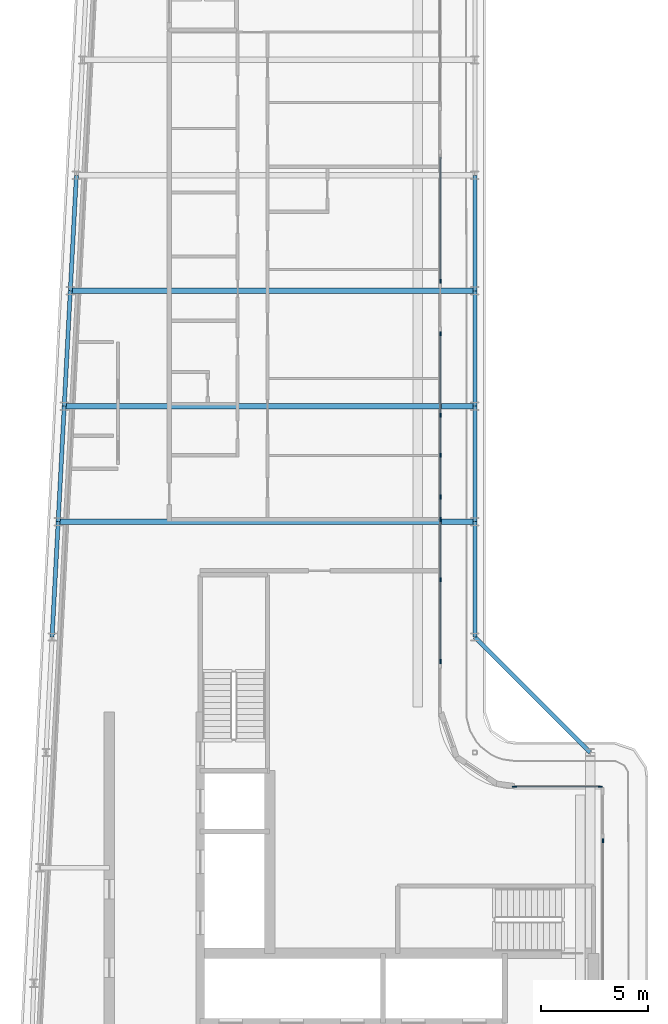
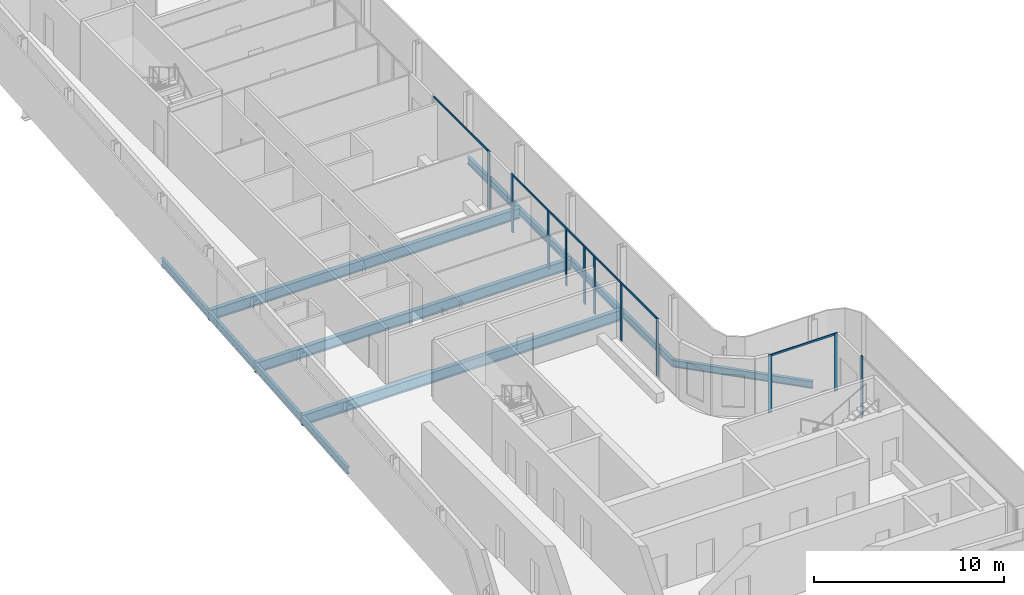
# One storey, part 5 of 18: 15 members, 12 beams, 5 elements without a shape of their own.
"""IFC4 building model written with IfcOpenShell, lengths in metres."""

import ifcopenshell
import ifcopenshell.guid

model = None  # the IFC model being written
_history = None  # IfcOwnerHistory: only IFC2X3 demands one
_inside = {}  # id of a spatial element -> (the spatial element, [elements in it])
_under = {}  # id of a project, library or spatial element -> (it, [spatial elements below it])
_declared = {}  # id of a project -> (the project, [libraries it declares])
_typed = {}  # id of a type object -> (the type object, [elements of that type])
_made_of = {}  # id of a material, layer set ... -> (it, [elements and type objects made of it])


def new_model(schema):
    """Start an empty IFC model of exactly this schema.

    Asked for "IFC4X3", IfcOpenShell would pick the latest addendum, in which some entities
    have other attributes; the version numbers below select the first issue.
    IFC2X3 requires an IfcOwnerHistory on every rooted entity: one is made here for all.
    """
    global model, _history
    if schema == "IFC4X3":
        model = ifcopenshell.file(schema_version=(4, 3, 0, 0))
    else:
        model = ifcopenshell.file(schema=schema)
    _inside.clear()
    _under.clear()
    _declared.clear()
    _typed.clear()
    _made_of.clear()
    _history = None
    if model.schema == "IFC2X3":
        org = make("IfcOrganization", Name="unknown")
        user = make(
            "IfcPersonAndOrganization",
            ThePerson=make("IfcPerson", FamilyName="unknown"),
            TheOrganization=org,
        )
        app = make(
            "IfcApplication",
            ApplicationDeveloper=org,
            Version="unknown",
            ApplicationFullName="unknown",
            ApplicationIdentifier="unknown",
        )
        _history = make(
            "IfcOwnerHistory",
            OwningUser=user,
            OwningApplication=app,
            ChangeAction="ADDED",
            CreationDate=0,
        )
    return model


def make(cls, **values):
    """One entity of the class cls with the attributes given. An attribute that is None is left unset."""
    return model.create_entity(
        cls, **{name: value for name, value in values.items() if value is not None}
    )


def rooted(cls, **values):
    """An entity with a GlobalId (a new one), such as an element, a storey or a relation."""
    return make(cls, GlobalId=ifcopenshell.guid.new(), OwnerHistory=_history, **values)


def si_unit(unit_type, name, prefix=None):
    """IfcSIUnit, for example si_unit("LENGTHUNIT", "METRE", prefix="MILLI")."""
    return make("IfcSIUnit", UnitType=unit_type, Prefix=prefix, Name=name)


def assignment(units):
    """IfcUnitAssignment: the units of a project."""
    return None if units is None else make("IfcUnitAssignment", Units=units)


def point(xyz):
    """IfcCartesianPoint."""
    return None if xyz is None else make("IfcCartesianPoint", Coordinates=xyz)


def direction(xyz):
    """IfcDirection."""
    return None if xyz is None else make("IfcDirection", DirectionRatios=xyz)


def frame(location, z_axis=None, x_axis=None):
    """IfcAxis2Placement3D, a coordinate frame: its origin and axes. An axis left out is left unset."""
    return make(
        "IfcAxis2Placement3D",
        Location=point(location),
        Axis=direction(z_axis),
        RefDirection=direction(x_axis),
    )


def frame_2d(location, x_axis=None):
    """IfcAxis2Placement2D, a coordinate frame in the plane: its origin and x axis."""
    return make(
        "IfcAxis2Placement2D", Location=point(location), RefDirection=direction(x_axis)
    )


def origin():
    """The frame at (0, 0, 0) with its axes left unset."""
    return frame((0.0, 0.0, 0.0))


def origin_2d():
    """The frame at (0, 0) in the plane with its x axis left unset."""
    return frame_2d((0.0, 0.0))


def place(relative_to, where):
    """IfcLocalPlacement: puts the frame where relative to a parent placement (None: the world)."""
    return make(
        "IfcLocalPlacement", PlacementRelTo=relative_to, RelativePlacement=where
    )


def context(
    kind, dimensions, precision=None, world=None, true_north=None, identifier=None
):
    """IfcGeometricRepresentationContext, for example the 3D "Model" context."""
    return make(
        "IfcGeometricRepresentationContext",
        ContextIdentifier=identifier,
        ContextType=kind,
        CoordinateSpaceDimension=dimensions,
        Precision=precision,
        WorldCoordinateSystem=world,
        TrueNorth=true_north,
    )


def subcontext(parent, identifier, kind, view, scale=None):
    """IfcGeometricRepresentationSubContext, for example "Body" below "Model"."""
    return make(
        "IfcGeometricRepresentationSubContext",
        ContextIdentifier=identifier,
        ContextType=kind,
        ParentContext=parent,
        TargetScale=scale,
        TargetView=view,
    )


def project(units=None, contexts=None):
    """IfcProject with its units and contexts."""
    return rooted(
        "IfcProject",
        Name="project",
        RepresentationContexts=contexts,
        UnitsInContext=assignment(units),
    )


def spatial(cls, under=None, at=None, **own):
    """A site, building, storey or space (cls), placed at a placement, below another one or the project."""
    s = rooted(cls, ObjectPlacement=at, **own)
    if under is not None:
        _under.setdefault(under.id(), (under, []))[1].append(s)
    return s


def profile(cls, at=None, kind="AREA", **sizes):
    """A parametric profile (cls). Its sizes go by their IFC names, for example OverallWidth=200.0."""
    return make(cls, ProfileType=kind, Position=at, **sizes)


def rectangle(**sizes):
    """IfcRectangleProfileDef."""
    return profile("IfcRectangleProfileDef", **sizes)


def i_section(**sizes):
    """IfcIShapeProfileDef."""
    return profile("IfcIShapeProfileDef", **sizes)


def extrude(swept, where, along, depth):
    """IfcExtrudedAreaSolid: the profile swept, set in the frame where, extruded along a direction by depth."""
    return make(
        "IfcExtrudedAreaSolid",
        SweptArea=swept,
        Position=where,
        ExtrudedDirection=direction(along),
        Depth=depth,
    )


def shape(context_of_items, identifier, shape_type, items):
    """IfcShapeRepresentation: the items that make up one representation, for example the "Body"."""
    return make(
        "IfcShapeRepresentation",
        ContextOfItems=context_of_items,
        RepresentationIdentifier=identifier,
        RepresentationType=shape_type,
        Items=items,
    )


def material(Name=None, Category=None):
    """IfcMaterial."""
    return make("IfcMaterial", Name=Name, Category=Category)


def layer(
    of_material, thickness, ventilated=None, Name=None, Category=None, Priority=None
):
    """IfcMaterialLayer: one layer of a wall or slab, of a material (None: an air gap)."""
    return make(
        "IfcMaterialLayer",
        Material=of_material,
        LayerThickness=thickness,
        IsVentilated=ventilated,
        Name=Name,
        Category=Category,
        Priority=Priority,
    )


def layer_set(layers, Name=None):
    """IfcMaterialLayerSet."""
    return make("IfcMaterialLayerSet", MaterialLayers=layers, LayerSetName=Name)


def material_profile(
    of_material, cross_section, Name=None, Category=None, Priority=None
):
    """IfcMaterialProfile: a cross section and its material."""
    return make(
        "IfcMaterialProfile",
        Name=Name,
        Material=of_material,
        Profile=cross_section,
        Priority=Priority,
        Category=Category,
    )


def profile_set(profiles, Name=None, composite=None):
    """IfcMaterialProfileSet."""
    return make(
        "IfcMaterialProfileSet",
        Name=Name,
        MaterialProfiles=profiles,
        CompositeProfile=composite,
    )


def made_of(thing, what):
    """Note that an element or type object is made of a material, layer set ...; save() writes the relation."""
    if what is not None:
        _made_of.setdefault(what.id(), (what, []))[1].append(thing)
    return thing


def type_object(cls, material=None, **own):
    """A type object (cls), such as IfcWallType, which elements share."""
    return made_of(rooted(cls, **own), material)


def element(
    cls,
    number,
    at=None,
    inside=None,
    cuts=None,
    type_object=None,
    material=None,
    context=None,
    identifier="Body",
    shape_type=None,
    held_by="IfcProductDefinitionShape",
    body=None,
    shapes=None,
    **own,
):
    """One element of the class cls, such as IfcWall. Its Tag is "e" and its number.

    at: its placement. inside: the storey or other place that contains it. cuts: it is an
    opening in that element (IfcRelVoidsElement). A single representation is given by context,
    identifier, shape_type and body (its items); several are given by shapes. held_by: the class
    of the entity that holds the representations. save() writes the other relations.
    """
    e = rooted(cls, Tag="e%d" % number, ObjectPlacement=at, **own)
    if body is not None:
        shapes = [shape(context, identifier, shape_type, body)]
    if shapes is not None:
        e.Representation = make(held_by, Representations=shapes)
    if inside is not None:
        _inside.setdefault(inside.id(), (inside, []))[1].append(e)
    if cuts is not None:
        rooted(
            "IfcRelVoidsElement", RelatingBuildingElement=cuts, RelatedOpeningElement=e
        )
    if type_object is not None:
        _typed.setdefault(type_object.id(), (type_object, []))[1].append(e)
    return made_of(e, material)


def aggregate(whole, parts):
    """IfcRelAggregates: a whole, such as a stair, and the parts it consists of."""
    return rooted("IfcRelAggregates", RelatingObject=whole, RelatedObjects=parts)


def save(model, path):
    """Write the relations noted so far, then the file.

    IfcRelAggregates (storeys below a building ...), IfcRelContainedInSpatialStructure (elements
    in a storey), IfcRelDefinesByType, IfcRelAssociatesMaterial and IfcRelDeclares: one each for
    every whole, place, type object, material and project.
    """
    for whole, parts in _under.values():
        aggregate(whole, parts)
    for where, things in _inside.values():
        rooted(
            "IfcRelContainedInSpatialStructure",
            RelatedElements=things,
            RelatingStructure=where,
        )
    for kind, things in _typed.values():
        rooted("IfcRelDefinesByType", RelatedObjects=things, RelatingType=kind)
    for what, things in _made_of.values():
        rooted("IfcRelAssociatesMaterial", RelatedObjects=things, RelatingMaterial=what)
    for by, libraries in _declared.values():
        rooted("IfcRelDeclares", RelatingContext=by, RelatedDefinitions=libraries)
    model.write(path)


model = new_model("IFC4")

# Units and contexts
model_context = context("Model", 3, precision=1e-05, world=origin(), true_north=direction((0.0, 1.0)))
body_context = subcontext(model_context, "Body", "Model", "MODEL_VIEW")
ifc_project = project(units=[si_unit("LENGTHUNIT", "METRE"), si_unit("AREAUNIT", "SQUARE_METRE"), si_unit("VOLUMEUNIT", "CUBIC_METRE"), si_unit("PLANEANGLEUNIT", "RADIAN"), si_unit("MASSUNIT", "GRAM", prefix="KILO")], contexts=[model_context])

# Site, building, storey
site_placement = place(None, origin())
site = spatial("IfcSite", under=ifc_project, at=site_placement, CompositionType="ELEMENT")
building_placement = place(site_placement, origin())
building = spatial("IfcBuilding", under=site, at=building_placement, Name="Kheshtan School and Residences Tower", CompositionType="ELEMENT")
storey_placement = place(building_placement, frame((0.0, 0.0, 385.10009765625)))
storey = spatial("IfcBuildingStorey", under=building, at=storey_placement, Name="L91", CompositionType="ELEMENT", Elevation=385.10009765625)

# Beams
ifc_material_1 = material(Name="Steel ASTM A992 Grade 50", Category="steel")
ifc_material_profile_1 = material_profile(ifc_material_1, i_section(OverallWidth=0.2529296875, OverallDepth=0.677978515625, WebThickness=0.01171875, FlangeThickness=0.016357421875, FilletRadius=0.0146484375, at=origin_2d()), Name="W690x125")
ifc_profile_set_1 = profile_set([ifc_material_profile_1], Name="Steel ASTM A992 Grade 50")
beam_type_1 = type_object("IfcBeamType", Name="Beam FB6 W690x125 ASTM A992 Grade 50", PredefinedType="BEAM", material=ifc_profile_set_1)
beam_1_placement = place(storey_placement, frame((47.60009765625, 67.199951171875, -0.489013671875), z_axis=(-1.0, 0.0, 0.0), x_axis=(0.0, -1.0, 0.0)))
element("IfcBeam", 1, at=beam_1_placement, inside=storey, type_object=beam_type_1, Name="Floor beam C085", PredefinedType="BEAM", context=body_context, shape_type="SweptSolid", body=[
    extrude(i_section(OverallWidth=0.2529296875, OverallDepth=0.677978515625, WebThickness=0.01171875, FlangeThickness=0.016357421875, FilletRadius=0.0146484375, at=origin_2d()), origin(), (0.0, 0.0, 1.0), 18.926025390625),
])
beam_2_placement = place(storey_placement, frame((47.60009765625, 56.39990234375, -0.489013671875), z_axis=(-1.0, 0.0, 0.0), x_axis=(0.0, -1.0, 0.0)))
element("IfcBeam", 2, at=beam_2_placement, inside=storey, type_object=beam_type_1, Name="Floor beam C081", PredefinedType="BEAM", context=body_context, shape_type="SweptSolid", body=[
    extrude(i_section(OverallWidth=0.2529296875, OverallDepth=0.677978515625, WebThickness=0.01171875, FlangeThickness=0.016357421875, FilletRadius=0.0146484375, at=origin_2d()), origin(), (0.0, 0.0, 1.0), 19.494140625),
])
beam_3_placement = place(storey_placement, frame((28.389892578125, 61.800048828125, -0.489013671875), z_axis=(1.0, 0.0, 0.0), x_axis=(0.0, 1.0, 0.0)))
element("IfcBeam", 3, at=beam_3_placement, inside=storey, type_object=beam_type_1, Name="Floor beam C082", PredefinedType="BEAM", context=body_context, shape_type="SweptSolid", body=[
    extrude(i_section(OverallWidth=0.2529296875, OverallDepth=0.677978515625, WebThickness=0.01171875, FlangeThickness=0.016357421875, FilletRadius=0.0146484375, at=origin_2d()), origin(), (0.0, 0.0, 1.0), 19.210205078125),
])
ifc_material_profile_2 = material_profile(ifc_material_1, i_section(OverallWidth=0.18994140625, OverallDepth=0.45703125, WebThickness=0.009033203125, FlangeThickness=0.014404296875, FilletRadius=0.01318359375, at=origin_2d()), Name="W460x74")
ifc_profile_set_2 = profile_set([ifc_material_profile_2], Name="Steel ASTM A992 Grade 50")
beam_type_2 = type_object("IfcBeamType", Name="Beam SP4 W460x74 ASTM A992 Grade 50", PredefinedType="BEAM", material=ifc_profile_set_2)
beam_4_placement = place(storey_placement, frame((47.60009765625, 72.60009765625, -0.378662109375), z_axis=(0.0, -1.0, 0.0), x_axis=(1.0, 0.0, 0.0)))
element("IfcBeam", 4, at=beam_4_placement, inside=storey, type_object=beam_type_2, Name="Spandrel beam C087-C085", PredefinedType="BEAM", context=body_context, shape_type="SweptSolid", body=[
    extrude(i_section(OverallWidth=0.18994140625, OverallDepth=0.45703125, WebThickness=0.009033203125, FlangeThickness=0.014404296875, FilletRadius=0.01318359375, at=origin_2d()), origin(), (0.0, 0.0, 1.0), 5.400146484375),
])
beam_5_placement = place(storey_placement, frame((47.60009765625, 67.199951171875, -0.378662109375), z_axis=(0.0, -1.0, 0.0), x_axis=(1.0, 0.0, 0.0)))
element("IfcBeam", 5, at=beam_5_placement, inside=storey, type_object=beam_type_2, Name="Spandrel beam C085-C083", PredefinedType="BEAM", context=body_context, shape_type="SweptSolid", body=[
    extrude(i_section(OverallWidth=0.18994140625, OverallDepth=0.45703125, WebThickness=0.009033203125, FlangeThickness=0.014404296875, FilletRadius=0.01318359375, at=origin_2d()), origin(), (0.0, 0.0, 1.0), 5.39990234375),
])
beam_6_placement = place(storey_placement, frame((47.60009765625, 61.800048828125, -0.378662109375), z_axis=(0.0, -1.0, 0.0), x_axis=(1.0, 0.0, 0.0)))
element("IfcBeam", 6, at=beam_6_placement, inside=storey, type_object=beam_type_2, Name="Spandrel beam C083-C081", PredefinedType="BEAM", context=body_context, shape_type="SweptSolid", body=[
    extrude(i_section(OverallWidth=0.18994140625, OverallDepth=0.45703125, WebThickness=0.009033203125, FlangeThickness=0.014404296875, FilletRadius=0.01318359375, at=origin_2d()), origin(), (0.0, 0.0, 1.0), 5.400146484375),
])
beam_7_placement = place(storey_placement, frame((47.60009765625, 56.39990234375, -0.378662109375), z_axis=(0.0, -1.0, 0.0), x_axis=(1.0, 0.0, 0.0)))
element("IfcBeam", 7, at=beam_7_placement, inside=storey, type_object=beam_type_2, Name="Spandrel beam C081-C079", PredefinedType="BEAM", context=body_context, shape_type="SweptSolid", body=[
    extrude(i_section(OverallWidth=0.18994140625, OverallDepth=0.45703125, WebThickness=0.009033203125, FlangeThickness=0.014404296875, FilletRadius=0.01318359375, at=origin_2d()), origin(), (0.0, 0.0, 1.0), 5.39990234375),
])
beam_8_placement = place(storey_placement, frame((47.60009765625, 51.0, -0.378662109375), z_axis=(0.707106781187, -0.707106781187, 0.0), x_axis=(0.707106781187, 0.707106781187, 0.0)))
element("IfcBeam", 8, at=beam_8_placement, inside=storey, type_object=beam_type_2, Name="Spandrel beam C079-C061", PredefinedType="BEAM", context=body_context, shape_type="SweptSolid", body=[
    extrude(i_section(OverallWidth=0.18994140625, OverallDepth=0.45703125, WebThickness=0.009033203125, FlangeThickness=0.014404296875, FilletRadius=0.01318359375, at=origin_2d()), origin(), (0.0, 0.0, 1.0), 7.63671875),
])
beam_9_placement = place(storey_placement, frame((27.822021484375, 51.0, -0.378662109375), z_axis=(0.05250906864, 0.998620447272, 0.0), x_axis=(-0.998620447272, 0.05250906864, 0.0)))
element("IfcBeam", 9, at=beam_9_placement, inside=storey, type_object=beam_type_2, Name="Spandrel beam C078-C080", PredefinedType="BEAM", context=body_context, shape_type="SweptSolid", body=[
    extrude(i_section(OverallWidth=0.18994140625, OverallDepth=0.45703125, WebThickness=0.009033203125, FlangeThickness=0.014404296875, FilletRadius=0.01318359375, at=origin_2d()), origin(), (0.0, 0.0, 1.0), 5.407470703125),
])
beam_10_placement = place(storey_placement, frame((28.10595703125, 56.39990234375, -0.378662109375), z_axis=(0.05250670125, 0.998620571751, 0.0), x_axis=(-0.998620571751, 0.05250670125, 0.0)))
element("IfcBeam", 10, at=beam_10_placement, inside=storey, type_object=beam_type_2, Name="Spandrel beam C080-C082", PredefinedType="BEAM", context=body_context, shape_type="SweptSolid", body=[
    extrude(i_section(OverallWidth=0.18994140625, OverallDepth=0.45703125, WebThickness=0.009033203125, FlangeThickness=0.014404296875, FilletRadius=0.01318359375, at=origin_2d()), origin(), (0.0, 0.0, 1.0), 5.40771484375),
])
beam_11_placement = place(storey_placement, frame((28.389892578125, 61.800048828125, -0.378662109375), z_axis=(0.052554093665, 0.998618078766, 0.0), x_axis=(-0.998618078766, 0.052554093665, 0.0)))
element("IfcBeam", 11, at=beam_11_placement, inside=storey, type_object=beam_type_2, Name="Spandrel beam C082-C084", PredefinedType="BEAM", context=body_context, shape_type="SweptSolid", body=[
    extrude(i_section(OverallWidth=0.18994140625, OverallDepth=0.45703125, WebThickness=0.009033203125, FlangeThickness=0.014404296875, FilletRadius=0.01318359375, at=origin_2d()), origin(), (0.0, 0.0, 1.0), 5.407470703125),
])
beam_12_placement = place(storey_placement, frame((28.674072265625, 67.199951171875, -0.378662109375), z_axis=(0.05250670125, 0.998620571751, 0.0), x_axis=(-0.998620571751, 0.05250670125, 0.0)))
element("IfcBeam", 12, at=beam_12_placement, inside=storey, type_object=beam_type_2, Name="Spandrel beam C084-C086", PredefinedType="BEAM", context=body_context, shape_type="SweptSolid", body=[
    extrude(i_section(OverallWidth=0.18994140625, OverallDepth=0.45703125, WebThickness=0.009033203125, FlangeThickness=0.014404296875, FilletRadius=0.01318359375, at=origin_2d()), origin(), (0.0, 0.0, 1.0), 5.40771484375),
])

# Curtain wall, members
ifc_material_2 = material(Name="Clear low-e glass in thermally broken aluminium frame", Category="aluminium")
ifc_layer_1 = layer(ifc_material_2, 0.199951171875)
ifc_layer_set_1 = layer_set([ifc_layer_1], Name="Curtain wall CW-B")
curtain_wall_type_1 = type_object("IfcCurtainWallType", Name="Curtain wall CW-B", PredefinedType="NOTDEFINED", material=ifc_layer_set_1)
curtain_wall_1_placement = place(storey_placement, origin())
curtain_wall_1 = element("IfcCurtainWall", 13, at=curtain_wall_1_placement, inside=storey, type_object=curtain_wall_type_1, Name="Curtain wall CWB12", PredefinedType="NOTDEFINED")
ifc_material_3 = material(Name="Thermally broken aluminium, dark bronze anodised", Category="aluminium")
ifc_material_profile_3 = material_profile(ifc_material_3, rectangle(XDim=0.06005859375, YDim=0.199951171875, at=origin_2d()), Name="CW-B mullion 60x200")
ifc_profile_set_3 = profile_set([ifc_material_profile_3], Name="Thermally broken aluminium, dark bronze anodised")
member_type_1 = type_object("IfcMemberType", Name="CW-B mullion 60x200", PredefinedType="MULLION", material=ifc_profile_set_3)
member_1_placement = place(storey_placement, frame((49.4599609375, 44.0, 0.0), z_axis=(0.0, 0.0, 1.0), x_axis=(0.0, 1.0, 0.0)))
member_1 = element("IfcMember", 14, at=member_1_placement, type_object=member_type_1, Name="CWB12 mullion 1", PredefinedType="MULLION", context=body_context, shape_type="SweptSolid", body=[
    extrude(rectangle(XDim=0.06005859375, YDim=0.199951171875, at=origin_2d()), origin(), (0.0, 0.0, 1.0), 3.75),
])
member_2_placement = place(storey_placement, frame((53.469970703125, 44.0, 0.0), z_axis=(0.0, 0.0, 1.0), x_axis=(0.0, 1.0, 0.0)))
member_2 = element("IfcMember", 15, at=member_2_placement, type_object=member_type_1, Name="CWB12 mullion 2", PredefinedType="MULLION", context=body_context, shape_type="SweptSolid", body=[
    extrude(rectangle(XDim=0.06005859375, YDim=0.199951171875, at=origin_2d()), origin(), (0.0, 0.0, 1.0), 3.75),
])
ifc_material_profile_4 = material_profile(ifc_material_3, rectangle(XDim=0.06005859375, YDim=0.1201171875, at=origin_2d()), Name="CW-B transom 60x120")
ifc_profile_set_4 = profile_set([ifc_material_profile_4], Name="Thermally broken aluminium, dark bronze anodised")
member_type_2 = type_object("IfcMemberType", Name="CW-B transom 60x120", PredefinedType="USERDEFINED", material=ifc_profile_set_4)
member_3_placement = place(storey_placement, frame((49.489990234375, 44.0, 3.68994140625), z_axis=(1.0, 0.0, 0.0), x_axis=(0.0, 1.0, 0.0)))
member_3 = element("IfcMember", 16, at=member_3_placement, type_object=member_type_2, Name="CWB12 transom 1", ObjectType="TRANSOM", PredefinedType="USERDEFINED", context=body_context, shape_type="SweptSolid", body=[
    extrude(rectangle(XDim=0.06005859375, YDim=0.1201171875, at=origin_2d()), origin(), (0.0, 0.0, 1.0), 3.949951171875),
])
aggregate(curtain_wall_1, [member_1, member_2, member_3])

# Curtain wall, member
ifc_layer_2 = layer(ifc_material_2, 0.199951171875)
ifc_layer_set_2 = layer_set([ifc_layer_2], Name="Curtain wall CW-L")
curtain_wall_type_2 = type_object("IfcCurtainWallType", Name="Curtain wall CW-L", PredefinedType="NOTDEFINED", material=ifc_layer_set_2)
curtain_wall_2_placement = place(storey_placement, origin())
curtain_wall_2 = element("IfcCurtainWall", 17, at=curtain_wall_2_placement, inside=storey, type_object=curtain_wall_type_2, Name="Curtain wall CWL8f", PredefinedType="NOTDEFINED")
ifc_material_profile_5 = material_profile(ifc_material_3, rectangle(XDim=0.06005859375, YDim=0.199951171875, at=origin_2d()), Name="CW-L mullion 60x200")
ifc_profile_set_5 = profile_set([ifc_material_profile_5], Name="Thermally broken aluminium, dark bronze anodised")
member_type_3 = type_object("IfcMemberType", Name="CW-L mullion 60x200", PredefinedType="MULLION", material=ifc_profile_set_5)
member_4_placement = place(storey_placement, frame((46.0, 67.64794921875, 0.0), z_axis=(0.0, 0.0, 1.0), x_axis=(1.0, 0.0, 0.0)))
member_4 = element("IfcMember", 18, at=member_4_placement, type_object=member_type_3, Name="CWL8f mullion 2", PredefinedType="MULLION", context=body_context, shape_type="SweptSolid", body=[
    extrude(rectangle(XDim=0.06005859375, YDim=0.199951171875, at=origin_2d()), origin(), (0.0, 0.0, 1.0), 3.75),
])

# Curtain wall, members
curtain_wall_3_placement = place(storey_placement, origin())
curtain_wall_3 = element("IfcCurtainWall", 19, at=curtain_wall_3_placement, inside=storey, type_object=curtain_wall_type_2, Name="Curtain wall CWL8c", PredefinedType="NOTDEFINED")
member_5_placement = place(storey_placement, frame((46.0, 65.18798828125, 0.0), z_axis=(0.0, 0.0, 1.0), x_axis=(1.0, 0.0, 0.0)))
member_5 = element("IfcMember", 20, at=member_5_placement, type_object=member_type_3, Name="CWL8c mullion 1", PredefinedType="MULLION", context=body_context, shape_type="SweptSolid", body=[
    extrude(rectangle(XDim=0.06005859375, YDim=0.199951171875, at=origin_2d()), origin(), (0.0, 0.0, 1.0), 3.75),
])
member_6_placement = place(storey_placement, frame((46.0, 61.37109375, 0.0), z_axis=(0.0, 0.0, 1.0), x_axis=(1.0, 0.0, 0.0)))
member_6 = element("IfcMember", 21, at=member_6_placement, type_object=member_type_3, Name="CWL8c mullion 2", PredefinedType="MULLION", context=body_context, shape_type="SweptSolid", body=[
    extrude(rectangle(XDim=0.06005859375, YDim=0.199951171875, at=origin_2d()), origin(), (0.0, 0.0, 1.0), 3.6298828125),
])
member_7_placement = place(storey_placement, frame((46.0, 59.5, 0.0), z_axis=(0.0, 0.0, 1.0), x_axis=(1.0, 0.0, 0.0)))
member_7 = element("IfcMember", 22, at=member_7_placement, type_object=member_type_3, Name="CWL8c mullion 3", PredefinedType="MULLION", context=body_context, shape_type="SweptSolid", body=[
    extrude(rectangle(XDim=0.06005859375, YDim=0.199951171875, at=origin_2d()), origin(), (0.0, 0.0, 1.0), 3.6298828125),
])
member_8_placement = place(storey_placement, frame((46.0, 57.553955078125, 0.0), z_axis=(0.0, 0.0, 1.0), x_axis=(1.0, 0.0, 0.0)))
member_8 = element("IfcMember", 23, at=member_8_placement, type_object=member_type_3, Name="CWL8c mullion 4", PredefinedType="MULLION", context=body_context, shape_type="SweptSolid", body=[
    extrude(rectangle(XDim=0.06005859375, YDim=0.199951171875, at=origin_2d()), origin(), (0.0, 0.0, 1.0), 3.75),
])

curtain_wall_4_placement = place(storey_placement, origin())
curtain_wall_4 = element("IfcCurtainWall", 24, at=curtain_wall_4_placement, inside=storey, type_object=curtain_wall_type_2, Name="Curtain wall CWL8c", PredefinedType="NOTDEFINED")
member_9_placement = place(storey_placement, frame((46.0, 56.5, 0.0), z_axis=(0.0, 0.0, 1.0), x_axis=(1.0, 0.0, 0.0)))
member_9 = element("IfcMember", 25, at=member_9_placement, type_object=member_type_3, Name="CWL8c mullion 2", PredefinedType="MULLION", context=body_context, shape_type="SweptSolid", body=[
    extrude(rectangle(XDim=0.06005859375, YDim=0.199951171875, at=origin_2d()), origin(), (0.0, 0.0, 1.0), 3.6298828125),
])
member_10_placement = place(storey_placement, frame((46.0, 53.677001953125, 0.0), z_axis=(0.0, 0.0, 1.0), x_axis=(1.0, 0.0, 0.0)))
member_10 = element("IfcMember", 26, at=member_10_placement, type_object=member_type_3, Name="CWL8c mullion 3", PredefinedType="MULLION", context=body_context, shape_type="SweptSolid", body=[
    extrude(rectangle(XDim=0.06005859375, YDim=0.199951171875, at=origin_2d()), origin(), (0.0, 0.0, 1.0), 3.6298828125),
])
member_11_placement = place(storey_placement, frame((46.0, 49.860107421875, 0.0), z_axis=(0.0, 0.0, 1.0), x_axis=(1.0, 0.0, 0.0)))
member_11 = element("IfcMember", 27, at=member_11_placement, type_object=member_type_3, Name="CWL8c mullion 4", PredefinedType="MULLION", context=body_context, shape_type="SweptSolid", body=[
    extrude(rectangle(XDim=0.06005859375, YDim=0.199951171875, at=origin_2d()), origin(), (0.0, 0.0, 1.0), 3.75),
])

# Curtain wall, member
curtain_wall_5_placement = place(storey_placement, origin())
curtain_wall_5 = element("IfcCurtainWall", 28, at=curtain_wall_5_placement, inside=storey, type_object=curtain_wall_type_2, Name="Curtain wall CWL13h", PredefinedType="NOTDEFINED")
member_12_placement = place(storey_placement, frame((53.60009765625, 41.469970703125, 0.0), z_axis=(0.0, 0.0, 1.0), x_axis=(1.0, 0.0, 0.0)))
member_12 = element("IfcMember", 29, at=member_12_placement, type_object=member_type_3, Name="CWL13h mullion 1", PredefinedType="MULLION", context=body_context, shape_type="SweptSolid", body=[
    extrude(rectangle(XDim=0.06005859375, YDim=0.199951171875, at=origin_2d()), origin(), (0.0, 0.0, 1.0), 3.75),
])
aggregate(curtain_wall_5, [member_12])

# Member
ifc_material_profile_6 = material_profile(ifc_material_3, rectangle(XDim=0.06005859375, YDim=0.1201171875, at=origin_2d()), Name="CW-L transom 60x120")
ifc_profile_set_6 = profile_set([ifc_material_profile_6], Name="Thermally broken aluminium, dark bronze anodised")
member_type_4 = type_object("IfcMemberType", Name="CW-L transom 60x120", PredefinedType="USERDEFINED", material=ifc_profile_set_6)
member_13_placement = place(storey_placement, frame((46.0, 73.451904296875, 3.68994140625), z_axis=(0.0, -1.0, 0.0), x_axis=(1.0, 0.0, 0.0)))
member_13 = element("IfcMember", 30, at=member_13_placement, type_object=member_type_4, Name="CWL8f transom 1", ObjectType="TRANSOM", PredefinedType="USERDEFINED", context=body_context, shape_type="SweptSolid", body=[
    extrude(rectangle(XDim=0.06005859375, YDim=0.1201171875, at=origin_2d()), origin(), (0.0, 0.0, 1.0), 5.77392578125),
])

aggregate(curtain_wall_2, [member_4, member_13])

member_14_placement = place(storey_placement, frame((46.0, 65.157958984375, 3.68994140625), z_axis=(0.0, -1.0, 0.0), x_axis=(1.0, 0.0, 0.0)))
member_14 = element("IfcMember", 31, at=member_14_placement, type_object=member_type_4, Name="CWL8c transom 1", ObjectType="TRANSOM", PredefinedType="USERDEFINED", context=body_context, shape_type="SweptSolid", body=[
    extrude(rectangle(XDim=0.06005859375, YDim=0.1201171875, at=origin_2d()), origin(), (0.0, 0.0, 1.0), 7.573974609375),
])

aggregate(curtain_wall_3, [member_5, member_6, member_7, member_8, member_14])

member_15_placement = place(storey_placement, frame((46.0, 57.52392578125, 3.68994140625), z_axis=(0.0, -1.0, 0.0), x_axis=(1.0, 0.0, 0.0)))
member_15 = element("IfcMember", 32, at=member_15_placement, type_object=member_type_4, Name="CWL8c transom 1", ObjectType="TRANSOM", PredefinedType="USERDEFINED", context=body_context, shape_type="SweptSolid", body=[
    extrude(rectangle(XDim=0.06005859375, YDim=0.1201171875, at=origin_2d()), origin(), (0.0, 0.0, 1.0), 7.634033203125),
])

aggregate(curtain_wall_4, [member_9, member_10, member_11, member_15])

save(model, "model.ifc")
